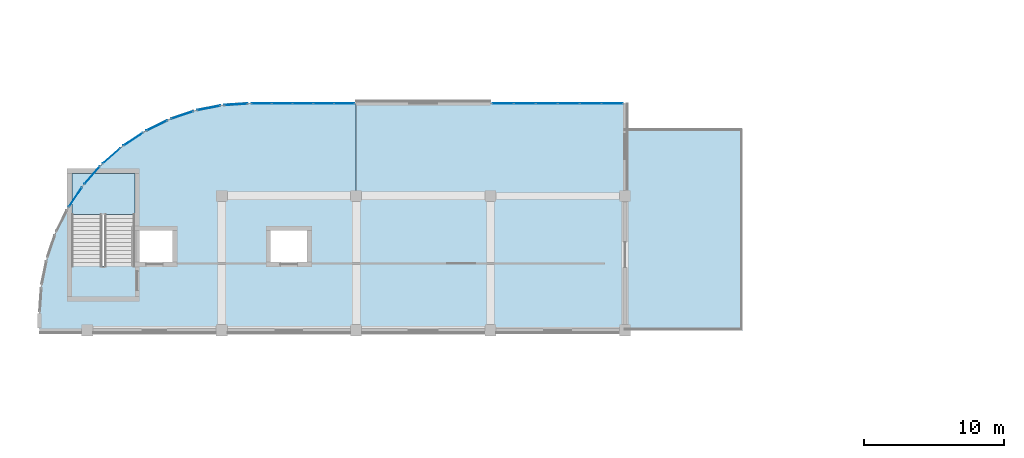
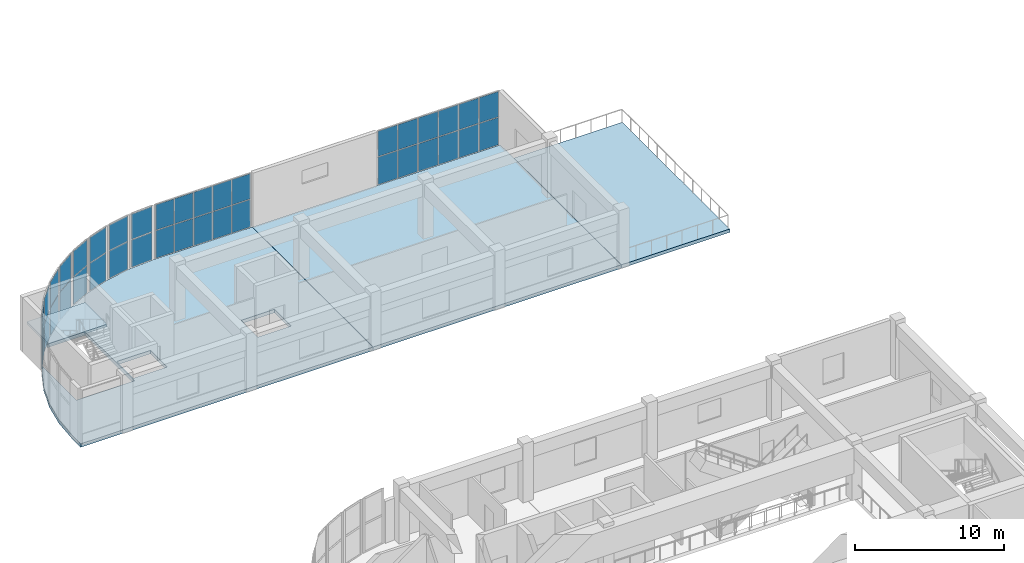
# One storey, part 18 of 33: 38 plates, 4 slabs, 11 elements without a shape of their own.
"""IFC4 building model written with IfcOpenShell, lengths in metres."""

from ifc_helpers import new_model, si_unit, direction, frame, origin, origin_2d, place, context, subcontext, project, spatial, polyline, rectangle, outline, extrude, material, layer, layer_set, type_object, element, aggregate, save


model = new_model("IFC4")

# Units and contexts
model_context = context("Model", 3, precision=1e-05, world=origin(), true_north=direction((0.0, 1.0)))
body_context = subcontext(model_context, "Body", "Model", "MODEL_VIEW")
ifc_project = project(units=[si_unit("LENGTHUNIT", "METRE"), si_unit("AREAUNIT", "SQUARE_METRE"), si_unit("VOLUMEUNIT", "CUBIC_METRE"), si_unit("PLANEANGLEUNIT", "RADIAN"), si_unit("MASSUNIT", "GRAM", prefix="KILO")], contexts=[model_context])

# Site, building, storey
site_placement = place(None, origin())
site = spatial("IfcSite", under=ifc_project, at=site_placement, CompositionType="ELEMENT")
building_placement = place(site_placement, origin())
building = spatial("IfcBuilding", under=site, at=building_placement, Name="Cendralis Terraced Arcade", CompositionType="ELEMENT")
storey_placement = place(building_placement, frame((0.0, 0.0, 19.800048828125)))
storey = spatial("IfcBuildingStorey", under=building, at=storey_placement, Name="L04", CompositionType="ELEMENT", Elevation=19.800048828125)

# Curtain wall, plates
ifc_material_1 = material(Name="Anodised aluminium EN AW-6063 T6", Category="aluminium")
ifc_layer_1 = layer(ifc_material_1, 0.1201171875, Name="CW-STORE-B")
ifc_layer_set_1 = layer_set([ifc_layer_1], Name="Anodised aluminium EN AW-6063 T6")
curtain_wall_type_1 = type_object("IfcCurtainWallType", Name="CW-STORE-B", PredefinedType="USERDEFINED", material=ifc_layer_set_1)
curtain_wall_1_placement = place(storey_placement, origin())
curtain_wall_1 = element("IfcCurtainWall", 1, at=curtain_wall_1_placement, inside=storey, type_object=curtain_wall_type_1, Name="Exterior Storefront Glazing CW-L04-0376", ObjectType="STOREFRONT GLAZING", PredefinedType="USERDEFINED")
ifc_material_2 = material(Name="Tempered solar control laminated glass", Category="glass")
ifc_layer_2 = layer(ifc_material_2, 0.02392578125, Name="CW-STORE-B-PNL")
ifc_layer_set_2 = layer_set([ifc_layer_2], Name="Tempered solar control laminated glass")
plate_type_1 = type_object("IfcPlateType", Name="CW-STORE-B-PNL", PredefinedType="CURTAIN_PANEL", material=ifc_layer_set_2)
plate_1_placement = place(storey_placement, frame((22.045654296875, 85.800048828125, 0.054931640625), z_axis=(0.0, 0.0, 1.0), x_axis=(1.0, 0.0, 0.0)))
plate_1 = element("IfcPlate", 2, at=plate_1_placement, type_object=plate_type_1, Name="CW-S2 panel 1.1", PredefinedType="CURTAIN_PANEL", context=body_context, shape_type="SweptSolid", body=[
    extrude(rectangle(XDim=1.401611328125, YDim=0.02392578125, at=origin_2d()), origin(), (0.0, 0.0, 1.0), 2.2470703125),
])
plate_2_placement = place(storey_placement, frame((22.045654296875, 85.800048828125, 2.357177734375), z_axis=(0.0, 0.0, 1.0), x_axis=(1.0, 0.0, 0.0)))
plate_2 = element("IfcPlate", 3, at=plate_2_placement, type_object=plate_type_1, Name="CW-S2 panel 1.2", PredefinedType="CURTAIN_PANEL", context=body_context, shape_type="SweptSolid", body=[
    extrude(rectangle(XDim=1.401611328125, YDim=0.02392578125, at=origin_2d()), origin(), (0.0, 0.0, 1.0), 2.06787109375),
])
plate_3_placement = place(storey_placement, frame((23.51611328125, 85.800048828125, 0.054931640625), z_axis=(0.0, 0.0, 1.0), x_axis=(1.0, 0.0, 0.0)))
plate_3 = element("IfcPlate", 4, at=plate_3_placement, type_object=plate_type_1, Name="CW-S2 panel 2.1", PredefinedType="CURTAIN_PANEL", context=body_context, shape_type="SweptSolid", body=[
    extrude(rectangle(XDim=1.428955078125, YDim=0.02392578125, at=origin_2d()), origin(), (0.0, 0.0, 1.0), 2.2470703125),
])
plate_4_placement = place(storey_placement, frame((23.51611328125, 85.800048828125, 2.357177734375), z_axis=(0.0, 0.0, 1.0), x_axis=(1.0, 0.0, 0.0)))
plate_4 = element("IfcPlate", 5, at=plate_4_placement, type_object=plate_type_1, Name="CW-S2 panel 2.2", PredefinedType="CURTAIN_PANEL", context=body_context, shape_type="SweptSolid", body=[
    extrude(rectangle(XDim=1.428955078125, YDim=0.02392578125, at=origin_2d()), origin(), (0.0, 0.0, 1.0), 2.06787109375),
])
plate_5_placement = place(storey_placement, frame((25.0, 85.800048828125, 0.054931640625), z_axis=(0.0, 0.0, 1.0), x_axis=(1.0, 0.0, 0.0)))
plate_5 = element("IfcPlate", 6, at=plate_5_placement, type_object=plate_type_1, Name="CW-S2 panel 3.1", PredefinedType="CURTAIN_PANEL", context=body_context, shape_type="SweptSolid", body=[
    extrude(rectangle(XDim=1.428955078125, YDim=0.02392578125, at=origin_2d()), origin(), (0.0, 0.0, 1.0), 2.2470703125),
])
plate_6_placement = place(storey_placement, frame((25.0, 85.800048828125, 2.357177734375), z_axis=(0.0, 0.0, 1.0), x_axis=(1.0, 0.0, 0.0)))
plate_6 = element("IfcPlate", 7, at=plate_6_placement, type_object=plate_type_1, Name="CW-S2 panel 3.2", PredefinedType="CURTAIN_PANEL", context=body_context, shape_type="SweptSolid", body=[
    extrude(rectangle(XDim=1.428955078125, YDim=0.02392578125, at=origin_2d()), origin(), (0.0, 0.0, 1.0), 2.06787109375),
])
plate_7_placement = place(storey_placement, frame((26.48388671875, 85.800048828125, 0.054931640625), z_axis=(0.0, 0.0, 1.0), x_axis=(1.0, 0.0, 0.0)))
plate_7 = element("IfcPlate", 8, at=plate_7_placement, type_object=plate_type_1, Name="CW-S2 panel 4.1", PredefinedType="CURTAIN_PANEL", context=body_context, shape_type="SweptSolid", body=[
    extrude(rectangle(XDim=1.428955078125, YDim=0.02392578125, at=origin_2d()), origin(), (0.0, 0.0, 1.0), 2.2470703125),
])
plate_8_placement = place(storey_placement, frame((26.48388671875, 85.800048828125, 2.357177734375), z_axis=(0.0, 0.0, 1.0), x_axis=(1.0, 0.0, 0.0)))
plate_8 = element("IfcPlate", 9, at=plate_8_placement, type_object=plate_type_1, Name="CW-S2 panel 4.2", PredefinedType="CURTAIN_PANEL", context=body_context, shape_type="SweptSolid", body=[
    extrude(rectangle(XDim=1.428955078125, YDim=0.02392578125, at=origin_2d()), origin(), (0.0, 0.0, 1.0), 2.06787109375),
])
plate_9_placement = place(storey_placement, frame((27.954345703125, 85.800048828125, 0.054931640625), z_axis=(0.0, 0.0, 1.0), x_axis=(1.0, 0.0, 0.0)))
plate_9 = element("IfcPlate", 10, at=plate_9_placement, type_object=plate_type_1, Name="CW-S2 panel 5.1", PredefinedType="CURTAIN_PANEL", context=body_context, shape_type="SweptSolid", body=[
    extrude(rectangle(XDim=1.401611328125, YDim=0.02392578125, at=origin_2d()), origin(), (0.0, 0.0, 1.0), 2.2470703125),
])
plate_10_placement = place(storey_placement, frame((27.954345703125, 85.800048828125, 2.357177734375), z_axis=(0.0, 0.0, 1.0), x_axis=(1.0, 0.0, 0.0)))
plate_10 = element("IfcPlate", 11, at=plate_10_placement, type_object=plate_type_1, Name="CW-S2 panel 5.2", PredefinedType="CURTAIN_PANEL", context=body_context, shape_type="SweptSolid", body=[
    extrude(rectangle(XDim=1.401611328125, YDim=0.02392578125, at=origin_2d()), origin(), (0.0, 0.0, 1.0), 2.06787109375),
])
aggregate(curtain_wall_1, [plate_1, plate_2, plate_3, plate_4, plate_5, plate_6, plate_7, plate_8, plate_9, plate_10])

curtain_wall_2_placement = place(storey_placement, origin())
curtain_wall_2 = element("IfcCurtainWall", 12, at=curtain_wall_2_placement, inside=storey, type_object=curtain_wall_type_1, Name="Exterior Storefront Glazing CW-L04-0377", ObjectType="STOREFRONT GLAZING", PredefinedType="USERDEFINED")
plate_11_placement = place(storey_placement, frame((39.288818359375, 85.800048828125, 0.054931640625), z_axis=(0.0, 0.0, 1.0), x_axis=(1.0, 0.0, 0.0)))
plate_11 = element("IfcPlate", 13, at=plate_11_placement, type_object=plate_type_1, Name="CW-S2 panel 1.1", PredefinedType="CURTAIN_PANEL", context=body_context, shape_type="SweptSolid", body=[
    extrude(rectangle(XDim=1.487548828125, YDim=0.02392578125, at=origin_2d()), origin(), (0.0, 0.0, 1.0), 2.2470703125),
])
plate_12_placement = place(storey_placement, frame((39.288818359375, 85.800048828125, 2.357177734375), z_axis=(0.0, 0.0, 1.0), x_axis=(1.0, 0.0, 0.0)))
plate_12 = element("IfcPlate", 14, at=plate_12_placement, type_object=plate_type_1, Name="CW-S2 panel 1.2", PredefinedType="CURTAIN_PANEL", context=body_context, shape_type="SweptSolid", body=[
    extrude(rectangle(XDim=1.487548828125, YDim=0.02392578125, at=origin_2d()), origin(), (0.0, 0.0, 1.0), 2.06787109375),
])
plate_13_placement = place(storey_placement, frame((40.844970703125, 85.800048828125, 0.054931640625), z_axis=(0.0, 0.0, 1.0), x_axis=(1.0, 0.0, 0.0)))
plate_13 = element("IfcPlate", 15, at=plate_13_placement, type_object=plate_type_1, Name="CW-S2 panel 2.1", PredefinedType="CURTAIN_PANEL", context=body_context, shape_type="SweptSolid", body=[
    extrude(rectangle(XDim=1.514892578125, YDim=0.02392578125, at=origin_2d()), origin(), (0.0, 0.0, 1.0), 2.2470703125),
])
plate_14_placement = place(storey_placement, frame((40.844970703125, 85.800048828125, 2.357177734375), z_axis=(0.0, 0.0, 1.0), x_axis=(1.0, 0.0, 0.0)))
plate_14 = element("IfcPlate", 16, at=plate_14_placement, type_object=plate_type_1, Name="CW-S2 panel 2.2", PredefinedType="CURTAIN_PANEL", context=body_context, shape_type="SweptSolid", body=[
    extrude(rectangle(XDim=1.514892578125, YDim=0.02392578125, at=origin_2d()), origin(), (0.0, 0.0, 1.0), 2.06787109375),
])
plate_15_placement = place(storey_placement, frame((42.4150390625, 85.800048828125, 0.054931640625), z_axis=(0.0, 0.0, 1.0), x_axis=(1.0, 0.0, 0.0)))
plate_15 = element("IfcPlate", 17, at=plate_15_placement, type_object=plate_type_1, Name="CW-S2 panel 3.1", PredefinedType="CURTAIN_PANEL", context=body_context, shape_type="SweptSolid", body=[
    extrude(rectangle(XDim=1.514892578125, YDim=0.02392578125, at=origin_2d()), origin(), (0.0, 0.0, 1.0), 2.2470703125),
])
plate_16_placement = place(storey_placement, frame((42.4150390625, 85.800048828125, 2.357177734375), z_axis=(0.0, 0.0, 1.0), x_axis=(1.0, 0.0, 0.0)))
plate_16 = element("IfcPlate", 18, at=plate_16_placement, type_object=plate_type_1, Name="CW-S2 panel 3.2", PredefinedType="CURTAIN_PANEL", context=body_context, shape_type="SweptSolid", body=[
    extrude(rectangle(XDim=1.514892578125, YDim=0.02392578125, at=origin_2d()), origin(), (0.0, 0.0, 1.0), 2.06787109375),
])
plate_17_placement = place(storey_placement, frame((43.985107421875, 85.800048828125, 0.054931640625), z_axis=(0.0, 0.0, 1.0), x_axis=(1.0, 0.0, 0.0)))
plate_17 = element("IfcPlate", 19, at=plate_17_placement, type_object=plate_type_1, Name="CW-S2 panel 4.1", PredefinedType="CURTAIN_PANEL", context=body_context, shape_type="SweptSolid", body=[
    extrude(rectangle(XDim=1.514892578125, YDim=0.02392578125, at=origin_2d()), origin(), (0.0, 0.0, 1.0), 2.2470703125),
])
plate_18_placement = place(storey_placement, frame((43.985107421875, 85.800048828125, 2.357177734375), z_axis=(0.0, 0.0, 1.0), x_axis=(1.0, 0.0, 0.0)))
plate_18 = element("IfcPlate", 20, at=plate_18_placement, type_object=plate_type_1, Name="CW-S2 panel 4.2", PredefinedType="CURTAIN_PANEL", context=body_context, shape_type="SweptSolid", body=[
    extrude(rectangle(XDim=1.514892578125, YDim=0.02392578125, at=origin_2d()), origin(), (0.0, 0.0, 1.0), 2.06787109375),
])
plate_19_placement = place(storey_placement, frame((45.554931640625, 85.800048828125, 0.054931640625), z_axis=(0.0, 0.0, 1.0), x_axis=(1.0, 0.0, 0.0)))
plate_19 = element("IfcPlate", 21, at=plate_19_placement, type_object=plate_type_1, Name="CW-S2 panel 5.1", PredefinedType="CURTAIN_PANEL", context=body_context, shape_type="SweptSolid", body=[
    extrude(rectangle(XDim=1.514892578125, YDim=0.02392578125, at=origin_2d()), origin(), (0.0, 0.0, 1.0), 2.2470703125),
])
plate_20_placement = place(storey_placement, frame((45.554931640625, 85.800048828125, 2.357177734375), z_axis=(0.0, 0.0, 1.0), x_axis=(1.0, 0.0, 0.0)))
plate_20 = element("IfcPlate", 22, at=plate_20_placement, type_object=plate_type_1, Name="CW-S2 panel 5.2", PredefinedType="CURTAIN_PANEL", context=body_context, shape_type="SweptSolid", body=[
    extrude(rectangle(XDim=1.514892578125, YDim=0.02392578125, at=origin_2d()), origin(), (0.0, 0.0, 1.0), 2.06787109375),
])
plate_21_placement = place(storey_placement, frame((47.111328125, 85.800048828125, 0.054931640625), z_axis=(0.0, 0.0, 1.0), x_axis=(1.0, 0.0, 0.0)))
plate_21 = element("IfcPlate", 23, at=plate_21_placement, type_object=plate_type_1, Name="CW-S2 panel 6.1", PredefinedType="CURTAIN_PANEL", context=body_context, shape_type="SweptSolid", body=[
    extrude(rectangle(XDim=1.487548828125, YDim=0.02392578125, at=origin_2d()), origin(), (0.0, 0.0, 1.0), 2.2470703125),
])
plate_22_placement = place(storey_placement, frame((47.111328125, 85.800048828125, 2.357177734375), z_axis=(0.0, 0.0, 1.0), x_axis=(1.0, 0.0, 0.0)))
plate_22 = element("IfcPlate", 24, at=plate_22_placement, type_object=plate_type_1, Name="CW-S2 panel 6.2", PredefinedType="CURTAIN_PANEL", context=body_context, shape_type="SweptSolid", body=[
    extrude(rectangle(XDim=1.487548828125, YDim=0.02392578125, at=origin_2d()), origin(), (0.0, 0.0, 1.0), 2.06787109375),
])
aggregate(curtain_wall_2, [plate_11, plate_12, plate_13, plate_14, plate_15, plate_16, plate_17, plate_18, plate_19, plate_20, plate_21, plate_22])

ifc_layer_3 = layer(ifc_material_1, 0.179931640625, Name="CW-UNIT-A")
ifc_layer_set_3 = layer_set([ifc_layer_3], Name="Anodised aluminium EN AW-6063 T6")
curtain_wall_type_2 = type_object("IfcCurtainWallType", Name="CW-UNIT-A", PredefinedType="USERDEFINED", material=ifc_layer_set_3)
curtain_wall_3_placement = place(storey_placement, origin())
curtain_wall_3 = element("IfcCurtainWall", 25, at=curtain_wall_3_placement, inside=storey, type_object=curtain_wall_type_2, Name="Exterior Unitised Facade CW-L04-0368", ObjectType="UNITISED FACADE", PredefinedType="USERDEFINED")
ifc_layer_4 = layer(ifc_material_2, 0.035888671875, Name="CW-UNIT-A-PNL")
ifc_layer_set_4 = layer_set([ifc_layer_4], Name="Tempered solar control laminated glass")
plate_type_2 = type_object("IfcPlateType", Name="CW-UNIT-A-PNL", PredefinedType="CURTAIN_PANEL", material=ifc_layer_set_4)
plate_23_placement = place(storey_placement, frame((8.754638671875, 79.11572265625, 0.06494140625), z_axis=(0.0, 0.0, 1.0), x_axis=(0.555567476528, 0.831471454125, 0.0)))
plate_23 = element("IfcPlate", 26, at=plate_23_placement, type_object=plate_type_2, Name="CW-U1 panel 1.1", PredefinedType="CURTAIN_PANEL", context=body_context, shape_type="SweptSolid", body=[
    extrude(rectangle(XDim=1.652099609375, YDim=0.035888671875, at=origin_2d()), origin(), (0.0, 0.0, 1.0), 2.232177734375),
])
plate_24_placement = place(storey_placement, frame((8.754638671875, 79.11572265625, 2.36181640625), z_axis=(0.0, 0.0, 1.0), x_axis=(0.555567476528, 0.831471454125, 0.0)))
plate_24 = element("IfcPlate", 27, at=plate_24_placement, type_object=plate_type_2, Name="CW-U1 panel 1.2", PredefinedType="CURTAIN_PANEL", context=body_context, shape_type="SweptSolid", body=[
    extrude(rectangle(XDim=1.652099609375, YDim=0.035888671875, at=origin_2d()), origin(), (0.0, 0.0, 1.0), 2.052978515625),
])
aggregate(curtain_wall_3, [plate_23, plate_24])

curtain_wall_4_placement = place(storey_placement, origin())
curtain_wall_4 = element("IfcCurtainWall", 28, at=curtain_wall_4_placement, inside=storey, type_object=curtain_wall_type_2, Name="Exterior Unitised Facade CW-L04-0369", ObjectType="UNITISED FACADE", PredefinedType="USERDEFINED")
plate_25_placement = place(storey_placement, frame((9.946533203125, 80.6689453125, 0.06494140625), z_axis=(0.0, 0.0, 1.0), x_axis=(0.659386076266, 0.751804497477, 0.0)))
plate_25 = element("IfcPlate", 29, at=plate_25_placement, type_object=plate_type_2, Name="CW-U1 panel 1.1", PredefinedType="CURTAIN_PANEL", context=body_context, shape_type="SweptSolid", body=[
    extrude(rectangle(XDim=1.652099609375, YDim=0.035888671875, at=origin_2d()), origin(), (0.0, 0.0, 1.0), 2.232177734375),
])
plate_26_placement = place(storey_placement, frame((9.946533203125, 80.6689453125, 2.36181640625), z_axis=(0.0, 0.0, 1.0), x_axis=(0.659386076266, 0.751804497477, 0.0)))
plate_26 = element("IfcPlate", 30, at=plate_26_placement, type_object=plate_type_2, Name="CW-U1 panel 1.2", PredefinedType="CURTAIN_PANEL", context=body_context, shape_type="SweptSolid", body=[
    extrude(rectangle(XDim=1.652099609375, YDim=0.035888671875, at=origin_2d()), origin(), (0.0, 0.0, 1.0), 2.052978515625),
])
aggregate(curtain_wall_4, [plate_25, plate_26])

curtain_wall_5_placement = place(storey_placement, origin())
curtain_wall_5 = element("IfcCurtainWall", 31, at=curtain_wall_5_placement, inside=storey, type_object=curtain_wall_type_2, Name="Exterior Unitised Facade CW-L04-0370", ObjectType="UNITISED FACADE", PredefinedType="USERDEFINED")
plate_27_placement = place(storey_placement, frame((11.3310546875, 82.053466796875, 0.06494140625), z_axis=(0.0, 0.0, 1.0), x_axis=(0.751804497477, 0.659386076266, 0.0)))
plate_27 = element("IfcPlate", 32, at=plate_27_placement, type_object=plate_type_2, Name="CW-U1 panel 1.1", PredefinedType="CURTAIN_PANEL", context=body_context, shape_type="SweptSolid", body=[
    extrude(rectangle(XDim=1.652099609375, YDim=0.035888671875, at=origin_2d()), origin(), (0.0, 0.0, 1.0), 2.232177734375),
])
plate_28_placement = place(storey_placement, frame((11.3310546875, 82.053466796875, 2.36181640625), z_axis=(0.0, 0.0, 1.0), x_axis=(0.751804497477, 0.659386076266, 0.0)))
plate_28 = element("IfcPlate", 33, at=plate_28_placement, type_object=plate_type_2, Name="CW-U1 panel 1.2", PredefinedType="CURTAIN_PANEL", context=body_context, shape_type="SweptSolid", body=[
    extrude(rectangle(XDim=1.652099609375, YDim=0.035888671875, at=origin_2d()), origin(), (0.0, 0.0, 1.0), 2.052978515625),
])
aggregate(curtain_wall_5, [plate_27, plate_28])

curtain_wall_6_placement = place(storey_placement, origin())
curtain_wall_6 = element("IfcCurtainWall", 34, at=curtain_wall_6_placement, inside=storey, type_object=curtain_wall_type_2, Name="Exterior Unitised Facade CW-L04-0371", ObjectType="UNITISED FACADE", PredefinedType="USERDEFINED")
plate_29_placement = place(storey_placement, frame((12.88427734375, 83.245361328125, 0.06494140625), z_axis=(0.0, 0.0, 1.0), x_axis=(0.831471454125, 0.555567476528, 0.0)))
plate_29 = element("IfcPlate", 35, at=plate_29_placement, type_object=plate_type_2, Name="CW-U1 panel 1.1", PredefinedType="CURTAIN_PANEL", context=body_context, shape_type="SweptSolid", body=[
    extrude(rectangle(XDim=1.652099609375, YDim=0.035888671875, at=origin_2d()), origin(), (0.0, 0.0, 1.0), 2.232177734375),
])
plate_30_placement = place(storey_placement, frame((12.88427734375, 83.245361328125, 2.36181640625), z_axis=(0.0, 0.0, 1.0), x_axis=(0.831471454125, 0.555567476528, 0.0)))
plate_30 = element("IfcPlate", 36, at=plate_30_placement, type_object=plate_type_2, Name="CW-U1 panel 1.2", PredefinedType="CURTAIN_PANEL", context=body_context, shape_type="SweptSolid", body=[
    extrude(rectangle(XDim=1.652099609375, YDim=0.035888671875, at=origin_2d()), origin(), (0.0, 0.0, 1.0), 2.052978515625),
])
aggregate(curtain_wall_6, [plate_29, plate_30])

curtain_wall_7_placement = place(storey_placement, origin())
curtain_wall_7 = element("IfcCurtainWall", 37, at=curtain_wall_7_placement, inside=storey, type_object=curtain_wall_type_2, Name="Exterior Unitised Facade CW-L04-0372", ObjectType="UNITISED FACADE", PredefinedType="USERDEFINED")
plate_31_placement = place(storey_placement, frame((14.579833984375, 84.224365234375, 0.06494140625), z_axis=(0.0, 0.0, 1.0), x_axis=(0.896871480419, 0.442291247495, 0.0)))
plate_31 = element("IfcPlate", 38, at=plate_31_placement, type_object=plate_type_2, Name="CW-U1 panel 1.1", PredefinedType="CURTAIN_PANEL", context=body_context, shape_type="SweptSolid", body=[
    extrude(rectangle(XDim=1.652099609375, YDim=0.035888671875, at=origin_2d()), origin(), (0.0, 0.0, 1.0), 2.232177734375),
])
plate_32_placement = place(storey_placement, frame((14.579833984375, 84.224365234375, 2.36181640625), z_axis=(0.0, 0.0, 1.0), x_axis=(0.896871480419, 0.442291247495, 0.0)))
plate_32 = element("IfcPlate", 39, at=plate_32_placement, type_object=plate_type_2, Name="CW-U1 panel 1.2", PredefinedType="CURTAIN_PANEL", context=body_context, shape_type="SweptSolid", body=[
    extrude(rectangle(XDim=1.652099609375, YDim=0.035888671875, at=origin_2d()), origin(), (0.0, 0.0, 1.0), 2.052978515625),
])
aggregate(curtain_wall_7, [plate_31, plate_32])

curtain_wall_8_placement = place(storey_placement, origin())
curtain_wall_8 = element("IfcCurtainWall", 40, at=curtain_wall_8_placement, inside=storey, type_object=curtain_wall_type_2, Name="Exterior Unitised Facade CW-L04-0373", ObjectType="UNITISED FACADE", PredefinedType="USERDEFINED")
plate_33_placement = place(storey_placement, frame((16.388671875, 84.9736328125, 0.06494140625), z_axis=(0.0, 0.0, 1.0), x_axis=(0.946923811316, 0.321458077458, 0.0)))
plate_33 = element("IfcPlate", 41, at=plate_33_placement, type_object=plate_type_2, Name="CW-U1 panel 1.1", PredefinedType="CURTAIN_PANEL", context=body_context, shape_type="SweptSolid", body=[
    extrude(rectangle(XDim=1.652099609375, YDim=0.035888671875, at=origin_2d()), origin(), (0.0, 0.0, 1.0), 2.232177734375),
])
plate_34_placement = place(storey_placement, frame((16.388671875, 84.9736328125, 2.36181640625), z_axis=(0.0, 0.0, 1.0), x_axis=(0.946923811316, 0.321458077458, 0.0)))
plate_34 = element("IfcPlate", 42, at=plate_34_placement, type_object=plate_type_2, Name="CW-U1 panel 1.2", PredefinedType="CURTAIN_PANEL", context=body_context, shape_type="SweptSolid", body=[
    extrude(rectangle(XDim=1.652099609375, YDim=0.035888671875, at=origin_2d()), origin(), (0.0, 0.0, 1.0), 2.052978515625),
])
aggregate(curtain_wall_8, [plate_33, plate_34])

curtain_wall_9_placement = place(storey_placement, origin())
curtain_wall_9 = element("IfcCurtainWall", 43, at=curtain_wall_9_placement, inside=storey, type_object=curtain_wall_type_2, Name="Exterior Unitised Facade CW-L04-0374", ObjectType="UNITISED FACADE", PredefinedType="USERDEFINED")
plate_35_placement = place(storey_placement, frame((18.27978515625, 85.480224609375, 0.06494140625), z_axis=(0.0, 0.0, 1.0), x_axis=(0.980791618721, 0.195058454434, 0.0)))
plate_35 = element("IfcPlate", 44, at=plate_35_placement, type_object=plate_type_2, Name="CW-U1 panel 1.1", PredefinedType="CURTAIN_PANEL", context=body_context, shape_type="SweptSolid", body=[
    extrude(rectangle(XDim=1.652099609375, YDim=0.035888671875, at=origin_2d()), origin(), (0.0, 0.0, 1.0), 2.232177734375),
])
plate_36_placement = place(storey_placement, frame((18.27978515625, 85.480224609375, 2.36181640625), z_axis=(0.0, 0.0, 1.0), x_axis=(0.980791618721, 0.195058454434, 0.0)))
plate_36 = element("IfcPlate", 45, at=plate_36_placement, type_object=plate_type_2, Name="CW-U1 panel 1.2", PredefinedType="CURTAIN_PANEL", context=body_context, shape_type="SweptSolid", body=[
    extrude(rectangle(XDim=1.652099609375, YDim=0.035888671875, at=origin_2d()), origin(), (0.0, 0.0, 1.0), 2.052978515625),
])
aggregate(curtain_wall_9, [plate_35, plate_36])

curtain_wall_10_placement = place(storey_placement, origin())
curtain_wall_10 = element("IfcCurtainWall", 46, at=curtain_wall_10_placement, inside=storey, type_object=curtain_wall_type_2, Name="Exterior Unitised Facade CW-L04-0375", ObjectType="UNITISED FACADE", PredefinedType="USERDEFINED")
plate_37_placement = place(storey_placement, frame((20.220947265625, 85.73583984375, 0.06494140625), z_axis=(0.0, 0.0, 1.0), x_axis=(0.997860971336, 0.065371873798, 0.0)))
plate_37 = element("IfcPlate", 47, at=plate_37_placement, type_object=plate_type_2, Name="CW-U1 panel 1.1", PredefinedType="CURTAIN_PANEL", context=body_context, shape_type="SweptSolid", body=[
    extrude(rectangle(XDim=1.652099609375, YDim=0.035888671875, at=origin_2d()), origin(), (0.0, 0.0, 1.0), 2.232177734375),
])
plate_38_placement = place(storey_placement, frame((20.220947265625, 85.73583984375, 2.36181640625), z_axis=(0.0, 0.0, 1.0), x_axis=(0.997860971336, 0.065371873798, 0.0)))
plate_38 = element("IfcPlate", 48, at=plate_38_placement, type_object=plate_type_2, Name="CW-U1 panel 1.2", PredefinedType="CURTAIN_PANEL", context=body_context, shape_type="SweptSolid", body=[
    extrude(rectangle(XDim=1.652099609375, YDim=0.035888671875, at=origin_2d()), origin(), (0.0, 0.0, 1.0), 2.052978515625),
])
aggregate(curtain_wall_10, [plate_37, plate_38])

# Slabs
ifc_material_3 = material(Name="Concrete f'c 35 MPa", Category="concrete")
ifc_layer_5 = layer(ifc_material_3, 0.280029296875, Name="SLB-L04-280")
ifc_layer_set_5 = layer_set([ifc_layer_5], Name="Concrete f'c 35 MPa")
slab_type_1 = type_object("IfcSlabType", Name="SLB-L04-280", PredefinedType="FLOOR", material=ifc_layer_set_5)
slab_1_placement = place(storey_placement, frame((0.0, 0.0, -0.280029296875)))
element("IfcSlab", 49, at=slab_1_placement, inside=storey, type_object=slab_type_1, Name="Reinforced Concrete Floor Slab SLB-L04-V3-W1-1", PredefinedType="FLOOR", context=body_context, shape_type="SweptSolid", body=[
    extrude(outline(polyline([(6.711181640625, 74.682373046875), (7.341796875, 76.540283203125), (8.209716796875, 78.300048828125), (8.5, 78.734619140625), (8.5, 74.179931640625), (13.0, 74.179931640625), (13.0, 80.800048828125), (10.061279296875, 80.800048828125), (10.593505859375, 81.406494140625), (12.068603515625, 82.7001953125), (13.699951171875, 83.790283203125), (15.459716796875, 84.658203125), (17.317626953125, 85.288818359375), (19.2421875, 85.671630859375), (21.199951171875, 85.800048828125), (28.800048828125, 85.800048828125), (28.800048828125, 69.60009765625), (6.199951171875, 69.60009765625), (6.199951171875, 70.800048828125), (6.328369140625, 72.7578125), (6.711181640625, 74.682373046875)]), holes=[polyline([(13.10009765625, 76.72509765625), (13.10009765625, 74.47509765625), (15.699951171875, 74.47509765625), (15.699951171875, 76.72509765625), (13.10009765625, 76.72509765625)]), polyline([(25.300048828125, 76.72509765625), (22.699951171875, 76.72509765625), (22.699951171875, 74.47509765625), (25.300048828125, 74.47509765625), (25.300048828125, 76.72509765625)])]), origin(), (0.0, 0.0, 1.0), 0.280029296875),
])
slab_2_placement = place(storey_placement, frame((0.0, 0.0, -0.280029296875)))
element("IfcSlab", 50, at=slab_2_placement, inside=storey, type_object=slab_type_1, Name="Reinforced Concrete Floor Slab SLB-L04-V3-W2-1", PredefinedType="FLOOR", context=body_context, shape_type="SweptSolid", body=[
    extrude(outline(polyline([(28.820068359375, 69.60009765625), (28.820068359375, 85.800048828125), (48.0, 85.800048828125), (48.0, 69.60009765625), (28.820068359375, 69.60009765625)])), origin(), (0.0, 0.0, 1.0), 0.280029296875),
])

# Stair, slab
stair_type = type_object("IfcStairType", Name="STR-W215-H480", PredefinedType="HALF_TURN_STAIR", material=ifc_material_3)
stair_placement = place(storey_placement, origin())
stair = element("IfcStair", 51, at=stair_placement, inside=storey, type_object=stair_type, Name="L04 Protected Exit Stair ST-07", PredefinedType="HALF_TURN_STAIR")
ifc_layer_6 = layer(ifc_material_3, 0.199951171875, Name="SLB-STAIR-LND-200")
ifc_layer_set_6 = layer_set([ifc_layer_6], Name="Concrete f'c 35 MPa")
slab_type_2 = type_object("IfcSlabType", Name="SLB-STAIR-LND-200", PredefinedType="LANDING", material=ifc_layer_set_6)
slab_3_placement = place(storey_placement, frame((0.0, 0.0, 2.199951171875)))
slab_3 = element("IfcSlab", 52, at=slab_3_placement, type_object=slab_type_2, Name="ST-07 landing 1", PredefinedType="LANDING", context=body_context, shape_type="SweptSolid", body=[
    extrude(outline(polyline([(13.0, 77.85498046875), (13.0, 80.800048828125), (8.5, 80.800048828125), (8.5, 77.85498046875), (13.0, 77.85498046875)])), origin(), (0.0, 0.0, 1.0), 0.199951171875),
])
aggregate(stair, [slab_3])

# Slab
ifc_layer_7 = layer(ifc_material_3, 0.27490234375, Name="SLB-TER-235")
ifc_layer_set_7 = layer_set([ifc_layer_7], Name="Concrete f'c 35 MPa")
slab_type_3 = type_object("IfcSlabType", Name="SLB-TER-235", PredefinedType="FLOOR", material=ifc_layer_set_7)
slab_4_placement = place(storey_placement, frame((0.0, 0.0, -0.275146484375)))
element("IfcSlab", 53, at=slab_4_placement, inside=storey, type_object=slab_type_3, Name="Planted North Pavilion Terrace Ledge L04", PredefinedType="FLOOR", context=body_context, shape_type="SweptSolid", body=[
    extrude(outline(polyline([(56.39990234375, 84.0), (56.39990234375, 69.60009765625), (48.02001953125, 69.60009765625), (48.02001953125, 84.0), (56.39990234375, 84.0)])), origin(), (0.0, 0.0, 1.0), 0.275146484375),
])

save(model, "model.ifc")
